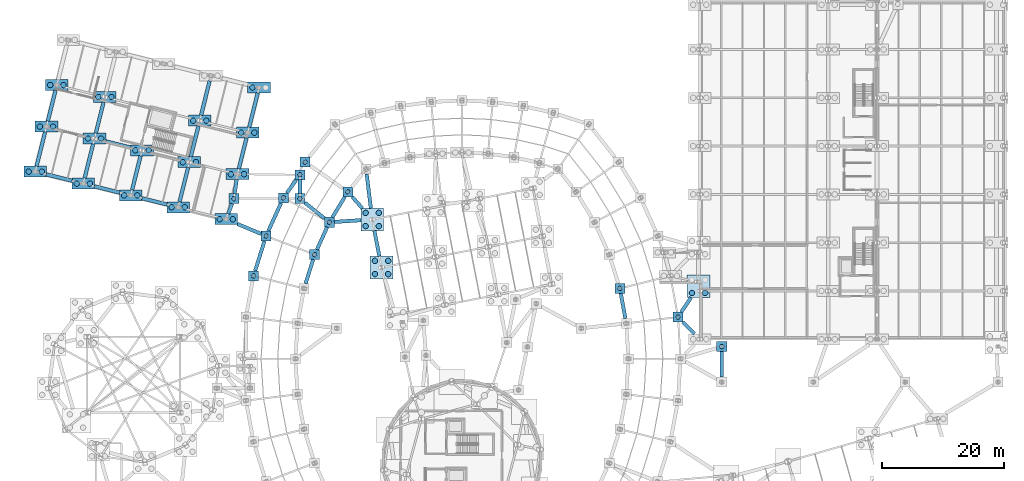
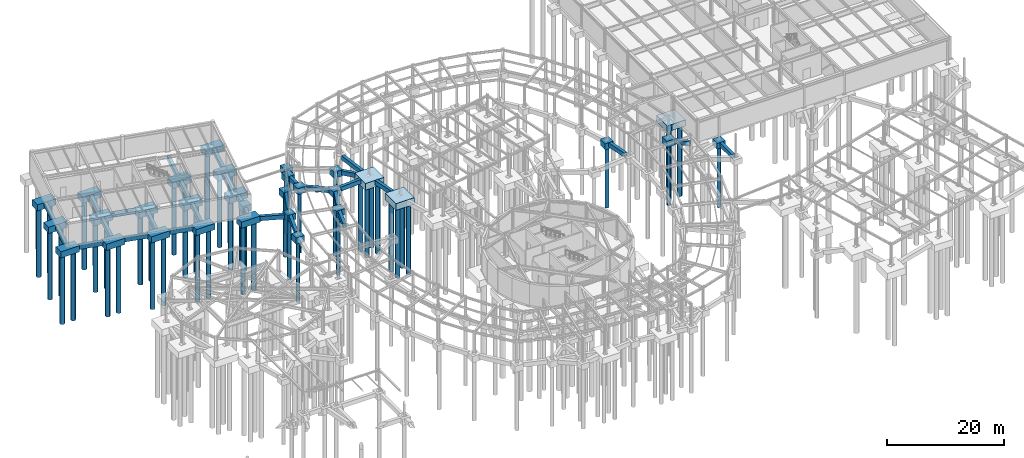
# One storey, part 6 of 50: 64 footings, 52 piles.
"""IFC4 building model written with IfcOpenShell, lengths in metres."""

from ifc_helpers import new_model, si_unit, direction, frame, origin, origin_2d, place, context, subcontext, project, spatial, rectangle, circle, extrude, material, material_profile, profile_set, type_object, element, save


model = new_model("IFC4")

# Units and contexts
model_context = context("Model", 3, precision=1e-05, world=origin(), true_north=direction((0.0, 1.0)))
body_context = subcontext(model_context, "Body", "Model", "MODEL_VIEW")
ifc_project = project(units=[si_unit("LENGTHUNIT", "METRE"), si_unit("AREAUNIT", "SQUARE_METRE"), si_unit("VOLUMEUNIT", "CUBIC_METRE"), si_unit("PLANEANGLEUNIT", "RADIAN"), si_unit("MASSUNIT", "GRAM", prefix="KILO")], contexts=[model_context])

# Site, building, storey
site_placement = place(None, origin())
site = spatial("IfcSite", under=ifc_project, at=site_placement, CompositionType="ELEMENT")
building_placement = place(site_placement, origin())
building = spatial("IfcBuilding", under=site, at=building_placement, Name="Varnklinge Art Gallery", CompositionType="ELEMENT")
storey_placement = place(building_placement, frame((0.0, 0.0, -4.800048828125)))
storey = spatial("IfcBuildingStorey", under=building, at=storey_placement, Name="B01", CompositionType="ELEMENT", Elevation=-4.800048828125)

# Footings
ifc_material_1 = material(Name="Concrete C35/45", Category="concrete")
footing_type_1 = type_object("IfcFootingType", Name="FB-08", PredefinedType="FOOTING_BEAM", material=ifc_material_1)
footing_1_placement = place(storey_placement, frame((47.64208984375, 83.215576171875, -0.89990234375), z_axis=(0.0, 0.0, 1.0), x_axis=(0.584674524674, 0.811267958321, 0.0)))
element("IfcFooting", 1, at=footing_1_placement, inside=storey, type_object=footing_type_1, Name="B01 Ground Tie Beam FBM-202", PredefinedType="FOOTING_BEAM", context=body_context, shape_type="SweptSolid", body=[
    extrude(rectangle(XDim=2.6611328125, YDim=0.60009765625, at=origin_2d()), origin(), (0.0, 0.0, 1.0), 0.89990234375),
])
ifc_material_2 = material(Name="Concrete C35/45", Category="concrete")
footing_type_2 = type_object("IfcFootingType", Name="FB-13", PredefinedType="FOOTING_BEAM", material=ifc_material_2)
footing_2_placement = place(storey_placement, frame((37.58203125, 79.554931640625, -1.199951171875), z_axis=(0.0, 0.0, 1.0), x_axis=(0.351678269838, 0.936120929434, 0.0)))
element("IfcFooting", 2, at=footing_2_placement, inside=storey, type_object=footing_type_2, Name="B01 Ground Tie Beam FBM-194", PredefinedType="FOOTING_BEAM", context=body_context, shape_type="SweptSolid", body=[
    extrude(rectangle(XDim=1.794677734375, YDim=0.60009765625, at=origin_2d()), origin(), (0.0, 0.0, 1.0), 0.89990234375),
])
ifc_material_3 = material(Name="Concrete C35/45", Category="concrete")
footing_type_3 = type_object("IfcFootingType", Name="FB-14", PredefinedType="FOOTING_BEAM", material=ifc_material_3)
footing_3_placement = place(storey_placement, frame((101.860595703125, 63.655517578125, -0.89990234375), z_axis=(0.0, 0.0, 1.0), x_axis=(-0.181549039717, 0.983381892338, 0.0)))
element("IfcFooting", 3, at=footing_3_placement, inside=storey, type_object=footing_type_3, Name="B01 Ground Tie Beam FBM-154", PredefinedType="FOOTING_BEAM", context=body_context, shape_type="SweptSolid", body=[
    extrude(rectangle(XDim=4.17236328125, YDim=0.60009765625, at=origin_2d()), origin(), (0.0, 0.0, 1.0), 0.89990234375),
])
footing_4_placement = place(storey_placement, frame((50.5380859375, 69.283447265625, -0.89990234375), z_axis=(0.0, 0.0, 1.0), x_axis=(0.299873410064, 0.953979002881, 0.0)))
element("IfcFooting", 4, at=footing_4_placement, inside=storey, type_object=footing_type_3, Name="B01 Ground Tie Beam FBM-170", PredefinedType="FOOTING_BEAM", context=body_context, shape_type="SweptSolid", body=[
    extrude(rectangle(XDim=4.122802734375, YDim=0.60009765625, at=origin_2d()), origin(), (0.0, 0.0, 1.0), 0.89990234375),
])
footing_5_placement = place(storey_placement, frame((61.5830078125, 73.869384765625, -0.89990234375), z_axis=(0.0, 0.0, 1.0), x_axis=(-0.190808995377, 0.981627183448, 0.0)))
element("IfcFooting", 5, at=footing_5_placement, inside=storey, type_object=footing_type_3, Name="B01 Ground Tie Beam FBM-176", PredefinedType="FOOTING_BEAM", context=body_context, shape_type="SweptSolid", body=[
    extrude(rectangle(XDim=4.271484375, YDim=0.60009765625, at=origin_2d()), origin(), (0.0, 0.0, 1.0), 0.89990234375),
])
footing_6_placement = place(storey_placement, frame((40.70703125, 76.2509765625, -1.199951171875), z_axis=(0.0, 0.0, 1.0), x_axis=(0.921930771776, -0.387354685078, 0.0)))
element("IfcFooting", 6, at=footing_6_placement, inside=storey, type_object=footing_type_3, Name="B01 Ground Tie Beam FBM-195", PredefinedType="FOOTING_BEAM", context=body_context, shape_type="SweptSolid", body=[
    extrude(rectangle(XDim=4.210693359375, YDim=0.60009765625, at=origin_2d()), origin(), (0.0, 0.0, 1.0), 0.89990234375),
])
footing_7_placement = place(storey_placement, frame((25.196044921875, 80.761962890625, -1.199951171875), z_axis=(0.0, 0.0, 1.0), x_axis=(-0.970295726276, 0.2419218956, 0.0)))
element("IfcFooting", 7, at=footing_7_placement, inside=storey, type_object=footing_type_3, Name="B01 Ground Tie Beam FBM-198", PredefinedType="FOOTING_BEAM", context=body_context, shape_type="SweptSolid", body=[
    extrude(rectangle(XDim=4.227783203125, YDim=0.60009765625, at=origin_2d()), origin(), (0.0, 0.0, 1.0), 0.89990234375),
])
footing_8_placement = place(storey_placement, frame((51.405029296875, 79.2724609375, -0.89990234375), z_axis=(0.0, 0.0, 1.0), x_axis=(0.780321270022, -0.625378857614, 0.0)))
element("IfcFooting", 8, at=footing_8_placement, inside=storey, type_object=footing_type_3, Name="B01 Ground Tie Beam FBM-201", PredefinedType="FOOTING_BEAM", context=body_context, shape_type="SweptSolid", body=[
    extrude(rectangle(XDim=4.100830078125, YDim=0.60009765625, at=origin_2d()), origin(), (0.0, 0.0, 1.0), 0.89990234375),
])
footing_9_placement = place(storey_placement, frame((17.43359375, 82.697509765625, -1.199951171875), z_axis=(0.0, 0.0, 1.0), x_axis=(0.970295726276, -0.2419218956, 0.0)))
element("IfcFooting", 9, at=footing_9_placement, inside=storey, type_object=footing_type_3, Name="B01 Ground Tie Beam FBM-215", PredefinedType="FOOTING_BEAM", context=body_context, shape_type="SweptSolid", body=[
    extrude(rectangle(XDim=4.228515625, YDim=0.60009765625, at=origin_2d()), origin(), (0.0, 0.0, 1.0), 0.89990234375),
])
footing_10_placement = place(storey_placement, frame((19.27197265625, 90.071533203125, -1.199951171875), z_axis=(0.0, 0.0, 1.0), x_axis=(-0.970295726276, 0.2419218956, 0.0)))
element("IfcFooting", 10, at=footing_10_placement, inside=storey, type_object=footing_type_3, Name="B01 Ground Tie Beam FBM-232", PredefinedType="FOOTING_BEAM", context=body_context, shape_type="SweptSolid", body=[
    extrude(rectangle(XDim=4.2275390625, YDim=0.60009765625, at=origin_2d()), origin(), (0.0, 0.0, 1.0), 0.89990234375),
])
footing_11_placement = place(storey_placement, frame((118.0, 54.10009765625, -0.89990234375), z_axis=(0.0, 0.0, 1.0), x_axis=(0.0, 1.0, 0.0)))
element("IfcFooting", 11, at=footing_11_placement, inside=storey, type_object=footing_type_3, Name="B01 Ground Tie Beam FBM-266", PredefinedType="FOOTING_BEAM", context=body_context, shape_type="SweptSolid", body=[
    extrude(rectangle(XDim=4.18994140625, YDim=0.60009765625, at=origin_2d()), origin(), (0.0, 0.0, 1.0), 0.89990234375),
])
ifc_material_4 = material(Name="Concrete C35/45", Category="concrete")
footing_type_4 = type_object("IfcFootingType", Name="FB-15", PredefinedType="FOOTING_BEAM", material=ifc_material_4)
footing_12_placement = place(storey_placement, frame((112.584716796875, 60.053955078125, -0.89990234375), z_axis=(0.0, 0.0, 1.0), x_axis=(-0.699538630851, 0.71459478304, 0.0)))
element("IfcFooting", 12, at=footing_12_placement, inside=storey, type_object=footing_type_4, Name="B01 Ground Tie Beam FBM-143", PredefinedType="FOOTING_BEAM", context=body_context, shape_type="SweptSolid", body=[
    extrude(rectangle(XDim=2.726318359375, YDim=0.60009765625, at=origin_2d()), origin(), (0.0, 0.0, 1.0), 0.89990234375),
])
footing_13_placement = place(storey_placement, frame((112.177978515625, 63.82958984375, -0.89990234375), z_axis=(0.0, 0.0, 1.0), x_axis=(0.5562956155, 0.830984469274, 0.0)))
element("IfcFooting", 13, at=footing_13_placement, inside=storey, type_object=footing_type_4, Name="B01 Ground Tie Beam FBM-157", PredefinedType="FOOTING_BEAM", context=body_context, shape_type="SweptSolid", body=[
    extrude(rectangle(XDim=2.865234375, YDim=0.60009765625, at=origin_2d()), origin(), (0.0, 0.0, 1.0), 0.89990234375),
])
ifc_material_5 = material(Name="Concrete C35/45", Category="concrete")
footing_type_5 = type_object("IfcFootingType", Name="FB-16", PredefinedType="FOOTING_BEAM", material=ifc_material_5)
footing_14_placement = place(storey_placement, frame((56.802490234375, 77.53759765625, -0.89990234375), z_axis=(0.0, 0.0, 1.0), x_axis=(-0.9979380835, -0.064183966065, 0.0)))
element("IfcFooting", 14, at=footing_14_placement, inside=storey, type_object=footing_type_5, Name="B01 Ground Tie Beam FBM-193", PredefinedType="FOOTING_BEAM", context=body_context, shape_type="SweptSolid", body=[
    extrude(rectangle(XDim=4.384033203125, YDim=0.60009765625, at=origin_2d()), origin(), (0.0, 0.0, 1.0), 0.89990234375),
])
footing_15_placement = place(storey_placement, frame((9.62255859375, 84.64501953125, -1.199951171875), z_axis=(0.0, 0.0, 1.0), x_axis=(0.970295726276, -0.2419218956, 0.0)))
element("IfcFooting", 15, at=footing_15_placement, inside=storey, type_object=footing_type_5, Name="B01 Ground Tie Beam FBM-218", PredefinedType="FOOTING_BEAM", context=body_context, shape_type="SweptSolid", body=[
    extrude(rectangle(XDim=4.32763671875, YDim=0.60009765625, at=origin_2d()), origin(), (0.0, 0.0, 1.0), 0.89990234375),
])
ifc_material_6 = material(Name="Concrete C35/45", Category="concrete")
footing_type_6 = type_object("IfcFootingType", Name="FB-17", PredefinedType="FOOTING_BEAM", material=ifc_material_6)
footing_16_placement = place(storey_placement, frame((29.99658203125, 83.4814453125, -1.199951171875), z_axis=(0.0, 0.0, 1.0), x_axis=(0.2419218956, 0.970295726276, 0.0)))
element("IfcFooting", 16, at=footing_16_placement, inside=storey, type_object=footing_type_6, Name="B01 Ground Tie Beam FBM-197", PredefinedType="FOOTING_BEAM", context=body_context, shape_type="SweptSolid", body=[
    extrude(rectangle(XDim=5.786865234375, YDim=0.60009765625, at=origin_2d()), origin(), (0.0, 0.0, 1.0), 0.89990234375),
])
for number, where, z_axis, x_axis, name in (
    (17, (22.23388671875, 85.4169921875, -1.199951171875), (0.0, 0.0, 1.0), (0.2419218956, 0.970295726276, 0.0), "B01 Ground Tie Beam FBM-204"),
    (18, (14.471435546875, 87.35205078125, -1.199951171875), (0.0, 0.0, 1.0), (0.2419218956, 0.970295726276, 0.0), "B01 Ground Tie Beam FBM-214"),
    (19, (6.612060546875, 89.31201171875, -1.199951171875), (0.0, 0.0, 1.0), (0.2419218956, 0.970295726276, 0.0), "B01 Ground Tie Beam FBM-217"),
    (20, (41.387939453125, 95.68798828125, -1.199951171875), (0.0, 0.0, 1.0), (0.2419218956, 0.970295726276, 0.0), "B01 Ground Tie Beam FBM-238"),
    (21, (33.528564453125, 97.64794921875, -1.199951171875), (0.0, 0.0, 1.0), (0.2419218956, 0.970295726276, 0.0), "B01 Ground Tie Beam FBM-242"),
):
    element("IfcFooting", number, at=place(storey_placement, frame(where, z_axis=z_axis, x_axis=x_axis)), inside=storey, type_object=footing_type_6, Name=name, PredefinedType="FOOTING_BEAM", context=body_context, shape_type="SweptSolid", body=[
        extrude(rectangle(XDim=5.785888671875, YDim=0.60009765625, at=origin_2d()), origin(), (0.0, 0.0, 1.0), 0.89990234375),
    ])
ifc_material_7 = material(Name="Concrete C35/45", Category="concrete")
footing_type_7 = type_object("IfcFootingType", Name="FB-22", PredefinedType="FOOTING_BEAM", material=ifc_material_7)
footing_17_placement = place(storey_placement, frame((42.427978515625, 71.83154296875, -0.89990234375), z_axis=(0.0, 0.0, 1.0), x_axis=(0.299706904751, 0.954031326134, 0.0)))
element("IfcFooting", 22, at=footing_17_placement, inside=storey, type_object=footing_type_7, Name="B01 Ground Tie Beam FBM-173", PredefinedType="FOOTING_BEAM", context=body_context, shape_type="SweptSolid", body=[
    extrude(rectangle(XDim=5.158203125, YDim=0.60009765625, at=origin_2d()), origin(), (0.0, 0.0, 1.0), 0.89990234375),
])
for number, where, z_axis, x_axis, name in (
    (23, (39.6220703125, 88.60498046875, -1.199951171875), (0.0, 0.0, 1.0), (0.2419218956, 0.970295726276, 0.0), "B01 Ground Tie Beam FBM-216"),
    (24, (31.762451171875, 90.56494140625, -1.199951171875), (0.0, 0.0, 1.0), (0.2419218956, 0.970295726276, 0.0), "B01 Ground Tie Beam FBM-223"),
    (25, (16.237548828125, 94.43505859375, -1.199951171875), (0.0, 0.0, 1.0), (0.2419218956, 0.970295726276, 0.0), "B01 Ground Tie Beam FBM-237"),
    (26, (8.3779296875, 96.39501953125, -1.199951171875), (0.0, 0.0, 1.0), (0.2419218956, 0.970295726276, 0.0), "B01 Ground Tie Beam FBM-239"),
):
    element("IfcFooting", number, at=place(storey_placement, frame(where, z_axis=z_axis, x_axis=x_axis)), inside=storey, type_object=footing_type_7, Name=name, PredefinedType="FOOTING_BEAM", context=body_context, shape_type="SweptSolid", body=[
        extrude(rectangle(XDim=5.18603515625, YDim=0.60009765625, at=origin_2d()), origin(), (0.0, 0.0, 1.0), 0.89990234375),
    ])
ifc_material_8 = material(Name="Concrete C35/45", Category="concrete")
footing_type_8 = type_object("IfcFootingType", Name="FB-28", PredefinedType="FOOTING_BEAM", material=ifc_material_8)
footing_18_placement = place(storey_placement, frame((44.868896484375, 78.214111328125, -0.89990234375), z_axis=(0.0, 0.0, 1.0), x_axis=(0.413422293217, 0.910539404678, 0.0)))
element("IfcFooting", 27, at=footing_18_placement, inside=storey, type_object=footing_type_8, Name="B01 Ground Tie Beam FBM-187", PredefinedType="FOOTING_BEAM", context=body_context, shape_type="SweptSolid", body=[
    extrude(rectangle(XDim=5.078125, YDim=0.60009765625, at=origin_2d()), origin(), (0.0, 0.0, 1.0), 0.89990234375),
])
ifc_material_9 = material(Name="Concrete C35/45", Category="concrete")
footing_type_9 = type_object("IfcFootingType", Name="FB-31", PredefinedType="FOOTING_BEAM", material=ifc_material_9)
footing_19_placement = place(storey_placement, frame((52.609619140625, 74.699951171875, -0.89990234375), z_axis=(0.0, 0.0, 1.0), x_axis=(0.413263367815, 0.910611546611, 0.0)))
element("IfcFooting", 28, at=footing_19_placement, inside=storey, type_object=footing_type_9, Name="B01 Ground Tie Beam FBM-179", PredefinedType="FOOTING_BEAM", context=body_context, shape_type="SweptSolid", body=[
    extrude(rectangle(XDim=4.041259765625, YDim=0.60009765625, at=origin_2d()), origin(), (0.0, 0.0, 1.0), 0.89990234375),
])
footing_20_placement = place(storey_placement, frame((55.323486328125, 79.824462890625, -0.89990234375), z_axis=(0.0, 0.0, 1.0), x_axis=(0.521009631841, 0.853550797275, 0.0)))
element("IfcFooting", 29, at=footing_20_placement, inside=storey, type_object=footing_type_9, Name="B01 Ground Tie Beam FBM-190", PredefinedType="FOOTING_BEAM", context=body_context, shape_type="SweptSolid", body=[
    extrude(rectangle(XDim=3.923583984375, YDim=0.60009765625, at=origin_2d()), origin(), (0.0, 0.0, 1.0), 0.89990234375),
])
ifc_material_10 = material(Name="Concrete C35/45", Category="concrete")
footing_type_10 = type_object("IfcFootingType", Name="FB-32", PredefinedType="FOOTING_BEAM", material=ifc_material_10)
footing_21_placement = place(storey_placement, frame((49.0, 83.14990234375, -0.89990234375), z_axis=(0.0, 0.0, 1.0), x_axis=(0.0, 1.0, 0.0)))
element("IfcFooting", 30, at=footing_21_placement, inside=storey, type_object=footing_type_10, Name="B01 Ground Tie Beam FBM-200", PredefinedType="FOOTING_BEAM", context=body_context, shape_type="SweptSolid", body=[
    extrude(rectangle(XDim=2.2900390625, YDim=0.60009765625, at=origin_2d()), origin(), (0.0, 0.0, 1.0), 0.89990234375),
])
ifc_material_11 = material(Name="Concrete C35/45", Category="concrete")
footing_type_11 = type_object("IfcFootingType", Name="FB-40", PredefinedType="FOOTING_BEAM", material=ifc_material_11)
footing_22_placement = place(storey_placement, frame((60.25439453125, 82.430908203125, -0.89990234375), z_axis=(0.0, 0.0, 1.0), x_axis=(0.12117638583, -0.992630990609, 0.0)))
element("IfcFooting", 31, at=footing_22_placement, inside=storey, type_object=footing_type_11, Name="B01 Ground Tie Beam FBM-219", PredefinedType="FOOTING_BEAM", context=body_context, shape_type="SweptSolid", body=[
    extrude(rectangle(XDim=5.651611328125, YDim=0.60009765625, at=origin_2d()), origin(), (0.0, 0.0, 1.0), 0.89990234375),
])
ifc_material_12 = material(Name="Concrete C35/45", Category="concrete")
footing_type_12 = type_object("IfcFootingType", Name="FB-42", PredefinedType="FOOTING_BEAM", material=ifc_material_12)
footing_23_placement = place(storey_placement, frame((58.375732421875, 80.5625, -0.89990234375), z_axis=(0.0, 0.0, 1.0), x_axis=(-0.662097017051, 0.749418134297, 0.0)))
element("IfcFooting", 32, at=footing_23_placement, inside=storey, type_object=footing_type_12, Name="B01 Ground Tie Beam FBM-192", PredefinedType="FOOTING_BEAM", context=body_context, shape_type="SweptSolid", body=[
    extrude(rectangle(XDim=2.499267578125, YDim=0.60009765625, at=origin_2d()), origin(), (0.0, 0.0, 1.0), 0.89990234375),
])
footing_24_placement = place(storey_placement, frame((38.482177734375, 83.1669921875, -1.199951171875), z_axis=(0.0, 0.0, 1.0), x_axis=(0.14193790484, 0.989875563477, 0.0)))
element("IfcFooting", 33, at=footing_24_placement, inside=storey, type_object=footing_type_12, Name="B01 Ground Tie Beam FBM-199", PredefinedType="FOOTING_BEAM", context=body_context, shape_type="SweptSolid", body=[
    extrude(rectangle(XDim=2.347900390625, YDim=0.60009765625, at=origin_2d()), origin(), (0.0, 0.0, 1.0), 0.89990234375),
])
ifc_material_13 = material(Name="Concrete C35/45", Category="concrete")
footing_type_13 = type_object("IfcFootingType", Name="PC-01", PredefinedType="PILE_CAP", material=ifc_material_13)
footing_25_placement = place(storey_placement, frame((110.842041015625, 61.833984375, -1.2998046875), z_axis=(0.0, 0.0, 1.0), x_axis=(1.0, 0.0, 0.0)))
element("IfcFooting", 34, at=footing_25_placement, inside=storey, type_object=footing_type_13, Name="B01 Pile Cap FCAP-122", PredefinedType="PILE_CAP", context=body_context, shape_type="SweptSolid", body=[
    extrude(rectangle(XDim=1.64990234375, YDim=1.65087890625, at=origin_2d()), origin(), (0.0, 0.0, 1.0), 1.300048828125),
])
for number, where, z_axis, x_axis, name in (
    (35, (101.3330078125, 66.511962890625, -1.2998046875), (0.0, 0.0, 1.0), (1.0, 0.0, 0.0), "B01 Pile Cap FCAP-136"),
    (36, (41.402099609375, 68.56591796875, -1.2998046875), (0.0, 0.0, 1.0), (1.0, 0.0, 0.0), "B01 Pile Cap FCAP-138"),
    (37, (51.408935546875, 72.054931640625, -1.2998046875), (0.0, 0.0, 1.0), (1.0, 0.0, 0.0), "B01 Pile Cap FCAP-142"),
):
    element("IfcFooting", number, at=place(storey_placement, frame(where, z_axis=z_axis, x_axis=x_axis)), inside=storey, type_object=footing_type_13, Name=name, PredefinedType="PILE_CAP", context=body_context, shape_type="SweptSolid", body=[
        extrude(rectangle(XDim=1.64990234375, YDim=1.64990234375, at=origin_2d()), origin(), (0.0, 0.0, 1.0), 1.300048828125),
    ])
footing_26_placement = place(storey_placement, frame((43.4541015625, 75.096923828125, -1.2998046875), z_axis=(0.0, 0.0, 1.0), x_axis=(1.0, 0.0, 0.0)))
element("IfcFooting", 38, at=footing_26_placement, inside=storey, type_object=footing_type_13, Name="B01 Pile Cap FCAP-151", PredefinedType="PILE_CAP", context=body_context, shape_type="SweptSolid", body=[
    extrude(rectangle(XDim=1.65087890625, YDim=1.64990234375, at=origin_2d()), origin(), (0.0, 0.0, 1.0), 1.300048828125),
])
for number, where, z_axis, x_axis, name in (
    (39, (53.81005859375, 77.344970703125, -1.2998046875), (0.0, 0.0, 1.0), (1.0, 0.0, 0.0), "B01 Pile Cap FCAP-153"),
    (40, (38.199951171875, 81.199951171875, -1.2998046875), (0.0, 0.0, 1.0), (1.0, 0.0, 0.0), "B01 Pile Cap FCAP-160"),
    (41, (49.0, 81.199951171875, -1.2998046875), (0.0, 0.0, 1.0), (1.0, 0.0, 0.0), "B01 Pile Cap FCAP-161"),
    (42, (46.283935546875, 81.3310546875, -1.2998046875), (0.0, 0.0, 1.0), (1.0, 0.0, 0.0), "B01 Pile Cap FCAP-162"),
    (43, (56.8369140625, 82.303955078125, -1.2998046875), (0.0, 0.0, 1.0), (1.0, 0.0, 0.0), "B01 Pile Cap FCAP-169"),
    (44, (49.0, 85.10009765625, -1.2998046875), (0.0, 0.0, 1.0), (1.0, 0.0, 0.0), "B01 Pile Cap FCAP-173"),
    (45, (49.85009765625, 87.175048828125, -1.2998046875), (0.0, 0.0, 1.0), (1.0, 0.0, 0.0), "B01 Pile Cap FCAP-181"),
):
    element("IfcFooting", number, at=place(storey_placement, frame(where, z_axis=z_axis, x_axis=x_axis)), inside=storey, type_object=footing_type_13, Name=name, PredefinedType="PILE_CAP", context=body_context, shape_type="SweptSolid", body=[
        extrude(rectangle(XDim=1.64990234375, YDim=1.64990234375, at=origin_2d()), origin(), (0.0, 0.0, 1.0), 1.300048828125),
    ])
ifc_material_14 = material(Name="Concrete C35/45", Category="concrete")
footing_type_14 = type_object("IfcFootingType", Name="PC-02", PredefinedType="PILE_CAP", material=ifc_material_14)
for number, where, z_axis, x_axis, name in (
    (46, (62.345947265625, 69.943115234375, -1.39990234375), (0.0, 0.0, 1.0), (1.0, 0.0, 0.0), "B01 Pile Cap FCAP-140"),
    (47, (60.820068359375, 77.7958984375, -1.39990234375), (0.0, 0.0, 1.0), (1.0, 0.0, 0.0), "B01 Pile Cap FCAP-155"),
):
    element("IfcFooting", number, at=place(storey_placement, frame(where, z_axis=z_axis, x_axis=x_axis)), inside=storey, type_object=footing_type_14, Name=name, PredefinedType="PILE_CAP", context=body_context, shape_type="SweptSolid", body=[
        extrude(rectangle(XDim=3.699951171875, YDim=3.699951171875, at=origin_2d()), origin(), (0.0, 0.0, 1.0), 1.39990234375),
    ])
ifc_material_15 = material(Name="Concrete C35/45", Category="concrete")
footing_type_15 = type_object("IfcFootingType", Name="PC-03", PredefinedType="PILE_CAP", material=ifc_material_15)
footing_27_placement = place(storey_placement, frame((118.0, 57.0, -1.19970703125), z_axis=(0.0, 0.0, 1.0), x_axis=(1.0, 0.0, 0.0)))
element("IfcFooting", 48, at=footing_27_placement, inside=storey, type_object=footing_type_15, Name="B01 Pile Cap FCAP-232", PredefinedType="PILE_CAP", context=body_context, shape_type="SweptSolid", body=[
    extrude(rectangle(XDim=1.64990234375, YDim=1.64990234375, at=origin_2d()), origin(), (0.0, 0.0, 1.0), 1.199951171875),
])
ifc_material_16 = material(Name="Concrete C35/45", Category="concrete")
footing_type_16 = type_object("IfcFootingType", Name="PC-06", PredefinedType="PILE_CAP", material=ifc_material_16)
for number, where, z_axis, x_axis, name in (
    (49, (36.93603515625, 77.8349609375, -1.60009765625), (0.0, 0.0, 1.0), (1.0, 0.0, 0.0), "B01 Pile Cap FCAP-156"),
    (50, (29.076904296875, 79.7939453125, -1.60009765625), (0.0, 0.0, 1.0), (1.0, 0.0, 0.0), "B01 Pile Cap FCAP-158"),
    (51, (21.31494140625, 81.72998046875, -1.60009765625), (0.0, 0.0, 1.0), (1.0, 0.0, 0.0), "B01 Pile Cap FCAP-164"),
    (52, (13.552001953125, 83.6650390625, -1.60009765625), (0.0, 0.0, 1.0), (1.0, 0.0, 0.0), "B01 Pile Cap FCAP-172"),
    (53, (38.77490234375, 85.208984375, -1.60009765625), (0.0, 0.0, 1.0), (1.0, 0.0, 0.0), "B01 Pile Cap FCAP-174"),
    (54, (5.693115234375, 85.625, -1.60009765625), (0.0, 0.0, 1.0), (1.0, 0.0, 0.0), "B01 Pile Cap FCAP-175"),
    (55, (30.916015625, 87.1689453125, -1.60009765625), (0.0, 0.0, 1.0), (1.0, 0.0, 0.0), "B01 Pile Cap FCAP-180"),
    (56, (23.153076171875, 89.10400390625, -1.60009765625), (0.0, 0.0, 1.0), (1.0, 0.0, 0.0), "B01 Pile Cap FCAP-188"),
    (57, (15.39111328125, 91.0390625, -1.60009765625), (0.0, 0.0, 1.0), (1.0, 0.0, 0.0), "B01 Pile Cap FCAP-193"),
):
    element("IfcFooting", number, at=place(storey_placement, frame(where, z_axis=z_axis, x_axis=x_axis)), inside=storey, type_object=footing_type_16, Name=name, PredefinedType="PILE_CAP", context=body_context, shape_type="SweptSolid", body=[
        extrude(rectangle(XDim=3.699951171875, YDim=1.800048828125, at=origin_2d()), origin(), (0.0, 0.0, 1.0), 1.300048828125),
    ])
for number, where, z_axis, x_axis, name in (
    (58, (40.468994140625, 92.0009765625, -1.60009765625), (0.0, 0.0, 1.0), (1.0, 0.0, 0.0), "B01 Pile Cap FCAP-194"),
    (59, (7.531005859375, 92.9990234375, -1.60009765625), (0.0, 0.0, 1.0), (1.0, 0.0, 0.0), "B01 Pile Cap FCAP-195"),
):
    element("IfcFooting", number, at=place(storey_placement, frame(where, z_axis=z_axis, x_axis=x_axis)), inside=storey, type_object=footing_type_16, Name=name, PredefinedType="PILE_CAP", context=body_context, shape_type="SweptSolid", body=[
        extrude(rectangle(XDim=3.700927734375, YDim=1.800048828125, at=origin_2d()), origin(), (0.0, 0.0, 1.0), 1.300048828125),
    ])
for number, where, z_axis, x_axis, name in (
    (60, (32.60888671875, 93.9609375, -1.60009765625), (0.0, 0.0, 1.0), (1.0, 0.0, 0.0), "B01 Pile Cap FCAP-198"),
    (61, (17.083984375, 97.8310546875, -1.60009765625), (0.0, 0.0, 1.0), (1.0, 0.0, 0.0), "B01 Pile Cap FCAP-210"),
    (62, (42.306884765625, 99.375, -1.60009765625), (0.0, 0.0, 1.0), (1.0, 0.0, 0.0), "B01 Pile Cap FCAP-211"),
    (63, (9.22509765625, 99.791015625, -1.60009765625), (0.0, 0.0, 1.0), (1.0, 0.0, 0.0), "B01 Pile Cap FCAP-212"),
):
    element("IfcFooting", number, at=place(storey_placement, frame(where, z_axis=z_axis, x_axis=x_axis)), inside=storey, type_object=footing_type_16, Name=name, PredefinedType="PILE_CAP", context=body_context, shape_type="SweptSolid", body=[
        extrude(rectangle(XDim=3.699951171875, YDim=1.800048828125, at=origin_2d()), origin(), (0.0, 0.0, 1.0), 1.300048828125),
    ])
ifc_material_17 = material(Name="Concrete C35/45", Category="concrete")
footing_type_17 = type_object("IfcFootingType", Name="PC-12", PredefinedType="PILE_CAP", material=ifc_material_17)
footing_28_placement = place(storey_placement, frame((114.199951171875, 66.85009765625, -1.2998046875), z_axis=(0.0, 0.0, 1.0), x_axis=(1.0, 0.0, 0.0)))
element("IfcFooting", 64, at=footing_28_placement, inside=storey, type_object=footing_type_17, Name="B01 Pile Cap FCAP-131", PredefinedType="PILE_CAP", context=body_context, shape_type="SweptSolid", body=[
    extrude(rectangle(XDim=3.699951171875, YDim=3.699951171875, at=origin_2d()), origin(), (0.0, 0.0, 1.0), 1.300048828125),
])

# Piles
ifc_material_18 = material(Name="Concrete C35/45", Category="concrete")
ifc_material_profile_1 = material_profile(ifc_material_18, circle(Radius=0.375, at=origin_2d()), Name="PILE D750")
ifc_profile_set_1 = profile_set([ifc_material_profile_1], Name="Concrete C35/45")
pile_type_1 = type_object("IfcPileType", Name="PIL-D750", PredefinedType="BORED", material=ifc_profile_set_1)
for number, where, z_axis, x_axis, name in (
    (65, (110.842041015625, 61.833984375, -1.199951171875), (0.0, 0.0, -1.0), (1.0, 0.0, 0.0), "B01 Bored Pile PILE-D750-199"),
    (66, (101.3330078125, 66.511962890625, -1.199951171875), (0.0, 0.0, -1.0), (1.0, 0.0, 0.0), "B01 Bored Pile PILE-D750-237"),
    (67, (41.402099609375, 68.56591796875, -1.199951171875), (0.0, 0.0, -1.0), (1.0, 0.0, 0.0), "B01 Bored Pile PILE-D750-242"),
    (68, (51.408935546875, 72.054931640625, -1.199951171875), (0.0, 0.0, -1.0), (1.0, 0.0, 0.0), "B01 Bored Pile PILE-D750-253"),
    (69, (43.4541015625, 75.096923828125, -1.199951171875), (0.0, 0.0, -1.0), (1.0, 0.0, 0.0), "B01 Bored Pile PILE-D750-275"),
    (70, (53.81005859375, 77.344970703125, -1.199951171875), (0.0, 0.0, -1.0), (1.0, 0.0, 0.0), "B01 Bored Pile PILE-D750-277"),
    (71, (38.199951171875, 81.199951171875, -1.199951171875), (0.0, 0.0, -1.0), (1.0, 0.0, 0.0), "B01 Bored Pile PILE-D750-295"),
    (72, (49.0, 81.199951171875, -1.199951171875), (0.0, 0.0, -1.0), (1.0, 0.0, 0.0), "B01 Bored Pile PILE-D750-296"),
    (73, (46.283935546875, 81.3310546875, -1.199951171875), (0.0, 0.0, -1.0), (1.0, 0.0, 0.0), "B01 Bored Pile PILE-D750-297"),
    (74, (56.8369140625, 82.303955078125, -1.199951171875), (0.0, 0.0, -1.0), (1.0, 0.0, 0.0), "B01 Bored Pile PILE-D750-309"),
    (75, (49.0, 85.10009765625, -1.199951171875), (0.0, 0.0, -1.0), (1.0, 0.0, 0.0), "B01 Bored Pile PILE-D750-317"),
    (76, (49.85009765625, 87.175048828125, -1.199951171875), (0.0, 0.0, -1.0), (1.0, 0.0, 0.0), "B01 Bored Pile PILE-D750-328"),
):
    element("IfcPile", number, at=place(storey_placement, frame(where, z_axis=z_axis, x_axis=x_axis)), inside=storey, type_object=pile_type_1, Name=name, PredefinedType="BORED", context=body_context, shape_type="SweptSolid", body=[
        extrude(circle(Radius=0.375, at=origin_2d()), origin(), (0.0, 0.0, 1.0), 12.800048828125),
    ])
pile_placement = place(storey_placement, frame((118.0, 57.0, -1.099853515625), z_axis=(0.0, 0.0, -1.0), x_axis=(1.0, 0.0, 0.0)))
element("IfcPile", 77, at=pile_placement, inside=storey, type_object=pile_type_1, Name="B01 Bored Pile PILE-D750-409", PredefinedType="BORED", context=body_context, shape_type="SweptSolid", body=[
    extrude(circle(Radius=0.375, at=origin_2d()), origin(), (0.0, 0.0, 1.0), 12.89990234375),
])
ifc_material_19 = material(Name="Concrete C35/45", Category="concrete")
ifc_material_profile_2 = material_profile(ifc_material_19, circle(Radius=0.449951171875, at=origin_2d()), Name="PILE D900")
ifc_profile_set_2 = profile_set([ifc_material_profile_2], Name="Concrete C35/45")
pile_type_2 = type_object("IfcPileType", Name="PIL-D900", PredefinedType="BORED", material=ifc_profile_set_2)
for number, where, z_axis, x_axis, name in (
    (78, (113.1201171875, 65.77001953125, -1.199951171875), (0.0, 0.0, -1.0), (1.0, 0.0, 0.0), "B01 Bored Pile PILE-D900-226"),
    (79, (115.280029296875, 65.77001953125, -1.199951171875), (0.0, 0.0, -1.0), (1.0, 0.0, 0.0), "B01 Bored Pile PILE-D900-228"),
):
    element("IfcPile", number, at=place(storey_placement, frame(where, z_axis=z_axis, x_axis=x_axis)), inside=storey, type_object=pile_type_2, Name=name, PredefinedType="BORED", context=body_context, shape_type="SweptSolid", body=[
        extrude(circle(Radius=0.449951171875, at=origin_2d()), origin(), (0.0, 0.0, 1.0), 14.800048828125),
    ])
for number, where, z_axis, x_axis, name in (
    (80, (61.26611328125, 68.863037109375, -1.300048828125), (0.0, 0.0, -1.0), (1.0, 0.0, 0.0), "B01 Bored Pile PILE-D900-245"),
    (81, (61.26611328125, 71.02294921875, -1.300048828125), (0.0, 0.0, -1.0), (1.0, 0.0, 0.0), "B01 Bored Pile PILE-D900-246"),
    (82, (63.426025390625, 68.863037109375, -1.300048828125), (0.0, 0.0, -1.0), (1.0, 0.0, 0.0), "B01 Bored Pile PILE-D900-247"),
    (83, (63.426025390625, 71.02294921875, -1.300048828125), (0.0, 0.0, -1.0), (1.0, 0.0, 0.0), "B01 Bored Pile PILE-D900-248"),
    (84, (59.739990234375, 76.716064453125, -1.300048828125), (0.0, 0.0, -1.0), (1.0, 0.0, 0.0), "B01 Bored Pile PILE-D900-279"),
    (85, (59.739990234375, 78.8759765625, -1.300048828125), (0.0, 0.0, -1.0), (1.0, 0.0, 0.0), "B01 Bored Pile PILE-D900-280"),
    (86, (61.89990234375, 76.716064453125, -1.300048828125), (0.0, 0.0, -1.0), (1.0, 0.0, 0.0), "B01 Bored Pile PILE-D900-281"),
    (87, (61.89990234375, 78.8759765625, -1.300048828125), (0.0, 0.0, -1.0), (1.0, 0.0, 0.0), "B01 Bored Pile PILE-D900-282"),
):
    element("IfcPile", number, at=place(storey_placement, frame(where, z_axis=z_axis, x_axis=x_axis)), inside=storey, type_object=pile_type_2, Name=name, PredefinedType="BORED", context=body_context, shape_type="SweptSolid", body=[
        extrude(circle(Radius=0.449951171875, at=origin_2d()), origin(), (0.0, 0.0, 1.0), 14.699951171875),
    ])
for number, where, z_axis, x_axis, name in (
    (88, (35.85595703125, 77.8349609375, -1.5), (0.0, 0.0, -1.0), (1.0, 0.0, 0.0), "B01 Bored Pile PILE-D900-283"),
    (89, (38.01611328125, 77.8349609375, -1.5), (0.0, 0.0, -1.0), (1.0, 0.0, 0.0), "B01 Bored Pile PILE-D900-284"),
    (90, (27.9970703125, 79.7939453125, -1.5), (0.0, 0.0, -1.0), (1.0, 0.0, 0.0), "B01 Bored Pile PILE-D900-289"),
    (91, (30.156982421875, 79.7939453125, -1.5), (0.0, 0.0, -1.0), (1.0, 0.0, 0.0), "B01 Bored Pile PILE-D900-290"),
    (92, (20.235107421875, 81.72998046875, -1.5), (0.0, 0.0, -1.0), (1.0, 0.0, 0.0), "B01 Bored Pile PILE-D900-299"),
    (93, (22.39501953125, 81.72998046875, -1.5), (0.0, 0.0, -1.0), (1.0, 0.0, 0.0), "B01 Bored Pile PILE-D900-300"),
    (94, (12.471923828125, 83.6650390625, -1.5), (0.0, 0.0, -1.0), (1.0, 0.0, 0.0), "B01 Bored Pile PILE-D900-315"),
    (95, (14.632080078125, 83.6650390625, -1.5), (0.0, 0.0, -1.0), (1.0, 0.0, 0.0), "B01 Bored Pile PILE-D900-316"),
    (96, (37.695068359375, 85.208984375, -1.5), (0.0, 0.0, -1.0), (1.0, 0.0, 0.0), "B01 Bored Pile PILE-D900-318"),
    (97, (39.85498046875, 85.208984375, -1.5), (0.0, 0.0, -1.0), (1.0, 0.0, 0.0), "B01 Bored Pile PILE-D900-319"),
    (98, (4.613037109375, 85.625, -1.5), (0.0, 0.0, -1.0), (1.0, 0.0, 0.0), "B01 Bored Pile PILE-D900-320"),
    (99, (6.77294921875, 85.625, -1.5), (0.0, 0.0, -1.0), (1.0, 0.0, 0.0), "B01 Bored Pile PILE-D900-321"),
    (100, (29.8359375, 87.1689453125, -1.5), (0.0, 0.0, -1.0), (1.0, 0.0, 0.0), "B01 Bored Pile PILE-D900-326"),
    (101, (31.99609375, 87.1689453125, -1.5), (0.0, 0.0, -1.0), (1.0, 0.0, 0.0), "B01 Bored Pile PILE-D900-327"),
    (102, (22.072998046875, 89.10400390625, -1.5), (0.0, 0.0, -1.0), (1.0, 0.0, 0.0), "B01 Bored Pile PILE-D900-337"),
    (103, (24.23291015625, 89.10400390625, -1.5), (0.0, 0.0, -1.0), (1.0, 0.0, 0.0), "B01 Bored Pile PILE-D900-338"),
    (104, (14.31103515625, 91.0390625, -1.5), (0.0, 0.0, -1.0), (1.0, 0.0, 0.0), "B01 Bored Pile PILE-D900-347"),
    (105, (16.470947265625, 91.0390625, -1.5), (0.0, 0.0, -1.0), (1.0, 0.0, 0.0), "B01 Bored Pile PILE-D900-348"),
    (106, (39.388916015625, 92.0009765625, -1.5), (0.0, 0.0, -1.0), (1.0, 0.0, 0.0), "B01 Bored Pile PILE-D900-349"),
    (107, (41.549072265625, 92.0009765625, -1.5), (0.0, 0.0, -1.0), (1.0, 0.0, 0.0), "B01 Bored Pile PILE-D900-350"),
    (108, (6.450927734375, 92.9990234375, -1.5), (0.0, 0.0, -1.0), (1.0, 0.0, 0.0), "B01 Bored Pile PILE-D900-351"),
    (109, (8.611083984375, 92.9990234375, -1.5), (0.0, 0.0, -1.0), (1.0, 0.0, 0.0), "B01 Bored Pile PILE-D900-352"),
    (110, (31.529052734375, 93.9609375, -1.5), (0.0, 0.0, -1.0), (1.0, 0.0, 0.0), "B01 Bored Pile PILE-D900-355"),
    (111, (33.68896484375, 93.9609375, -1.5), (0.0, 0.0, -1.0), (1.0, 0.0, 0.0), "B01 Bored Pile PILE-D900-356"),
    (112, (16.00390625, 97.8310546875, -1.5), (0.0, 0.0, -1.0), (1.0, 0.0, 0.0), "B01 Bored Pile PILE-D900-372"),
    (113, (18.1640625, 97.8310546875, -1.5), (0.0, 0.0, -1.0), (1.0, 0.0, 0.0), "B01 Bored Pile PILE-D900-373"),
    (114, (41.22705078125, 99.375, -1.5), (0.0, 0.0, -1.0), (1.0, 0.0, 0.0), "B01 Bored Pile PILE-D900-374"),
    (115, (8.14501953125, 99.791015625, -1.5), (0.0, 0.0, -1.0), (1.0, 0.0, 0.0), "B01 Bored Pile PILE-D900-376"),
    (116, (10.304931640625, 99.791015625, -1.5), (0.0, 0.0, -1.0), (1.0, 0.0, 0.0), "B01 Bored Pile PILE-D900-377"),
):
    element("IfcPile", number, at=place(storey_placement, frame(where, z_axis=z_axis, x_axis=x_axis)), inside=storey, type_object=pile_type_2, Name=name, PredefinedType="BORED", context=body_context, shape_type="SweptSolid", body=[
        extrude(circle(Radius=0.449951171875, at=origin_2d()), origin(), (0.0, 0.0, 1.0), 14.5),
    ])

save(model, "model.ifc")
